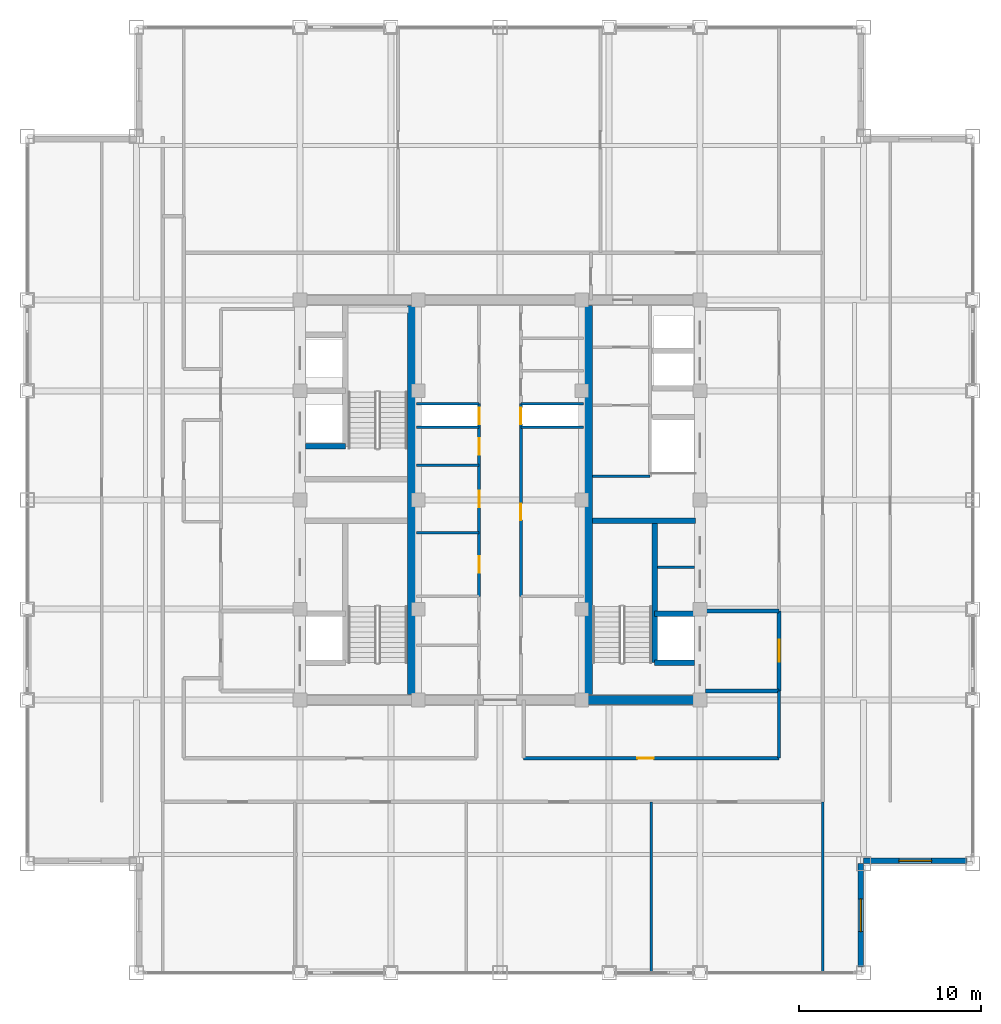
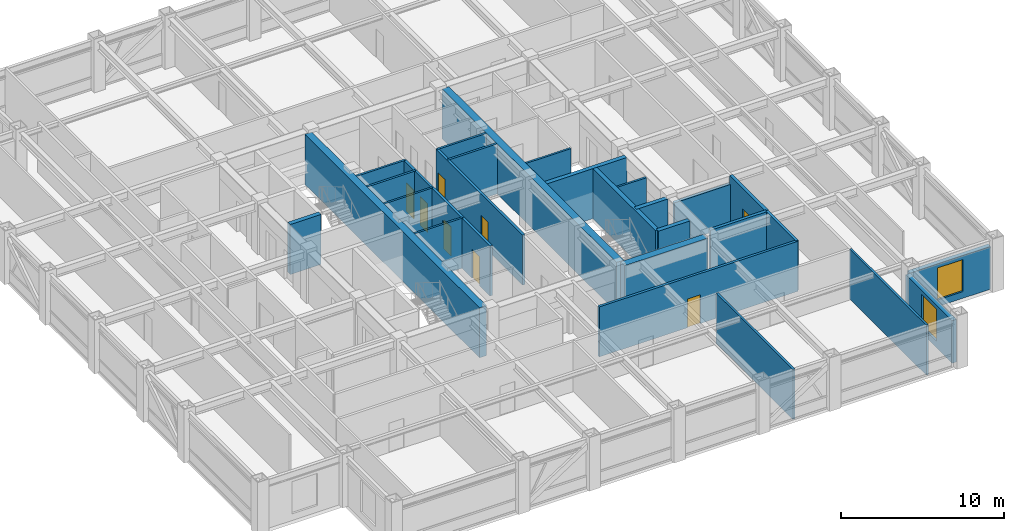
# One storey, part 25 of 28: 27 walls, 8 doors, 2 windows, 10 openings.
"""IFC4 building model written with IfcOpenShell, lengths in metres."""

from ifc_helpers import new_model, si_unit, direction, frame, frame_2d, origin, place, context, subcontext, project, spatial, rectangle, extrude, source, transform, mapped, material, layer, layer_set, type_object, element, fill, save


model = new_model("IFC4")

# Units and contexts
model_context = context("Model", 3, precision=1e-05, world=origin(), true_north=direction((0.0, 1.0)))
body_context = subcontext(model_context, "Body", "Model", "MODEL_VIEW")
ifc_project = project(units=[si_unit("LENGTHUNIT", "METRE"), si_unit("AREAUNIT", "SQUARE_METRE"), si_unit("VOLUMEUNIT", "CUBIC_METRE"), si_unit("PLANEANGLEUNIT", "RADIAN"), si_unit("MASSUNIT", "GRAM", prefix="KILO")], contexts=[model_context])

# Site, building, storey
site_placement = place(None, origin())
site = spatial("IfcSite", under=ifc_project, at=site_placement, CompositionType="ELEMENT")
building_placement = place(site_placement, origin())
building = spatial("IfcBuilding", under=site, at=building_placement, Name="Khorayat Bourse Tower", CompositionType="ELEMENT")
storey_placement = place(building_placement, frame((0.0, 0.0, 338.300048828125)))
storey = spatial("IfcBuildingStorey", under=building, at=storey_placement, Name="L80", CompositionType="ELEMENT", Elevation=338.300048828125)

# Walls
ifc_material_1 = material(Name="Concrete C52/65", Category="concrete")
ifc_layer_1 = layer(ifc_material_1, 0.5)
ifc_layer_set_1 = layer_set([ifc_layer_1], Name="Concrete C52/65")
wall_type_1 = type_object("IfcWallType", Name="WAL-CORE-500", PredefinedType="SHEAR", material=ifc_layer_set_1)
shared_shape_1 = source(origin(), body_context, "Body", "SweptSolid", [
    extrude(rectangle(XDim=21.39990234375, YDim=0.5, at=frame_2d((10.699951171875, 0.0))), origin(), (0.0, 0.0, 1.0), 3.739990234375),
])
for number, where, z_axis, x_axis, name in (
    (1, (-4.85009765625, -10.699951171875, 0.0), (0.0, 0.0, 1.0), (0.0, 1.0, 0.0), "L80 Core Shear Wall PIER-W"),
    (2, (4.85009765625, -10.699951171875, 0.0), (0.0, 0.0, 1.0), (0.0, 1.0, 0.0), "L80 Core Shear Wall PIER-E"),
):
    element("IfcWall", number, at=place(storey_placement, frame(where, z_axis=z_axis, x_axis=x_axis)), inside=storey, type_object=wall_type_1, Name=name, PredefinedType="SHEAR", context=body_context, shape_type="MappedRepresentation", body=[
        mapped(shared_shape_1, transform((0.0, 0.0, 0.0), scale=1.0)),
    ])
shared_shape_2 = source(origin(), body_context, "Body", "SweptSolid", [
    extrude(rectangle(XDim=5.89990234375, YDim=0.5, at=frame_2d((2.949951171875, 0.0))), origin(), (0.0, 0.0, 1.0), 3.739990234375),
])
wall_1_placement = place(storey_placement, frame((4.85009765625, -11.0, 0.0), z_axis=(0.0, 0.0, 1.0), x_axis=(1.0, 0.0, 0.0)))
element("IfcWall", 3, at=wall_1_placement, inside=storey, type_object=wall_type_1, Name="L80 Core Shear Wall PIER-ES", PredefinedType="SHEAR", context=body_context, shape_type="MappedRepresentation", body=[
    mapped(shared_shape_2, transform((0.0, 0.0, 0.0), scale=1.0)),
])
ifc_material_2 = material(Name="Concrete C50/60", Category="concrete")
ifc_layer_2 = layer(ifc_material_2, 0.300048828125)
ifc_layer_set_2 = layer_set([ifc_layer_2], Name="Concrete C50/60")
wall_type_2 = type_object("IfcWallType", Name="WAL-SHAFT-300", PredefinedType="SHEAR", material=ifc_layer_set_2)
shared_shape_3 = source(origin(), body_context, "Body", "SweptSolid", [
    extrude(rectangle(XDim=5.64990234375, YDim=0.300048828125, at=frame_2d((2.824951171875, 0.0))), origin(), (0.0, 0.0, 1.0), 3.739990234375),
])
wall_2_placement = place(storey_placement, frame((5.10009765625, -1.14990234375, 0.0), z_axis=(0.0, 0.0, 1.0), x_axis=(1.0, 0.0, 0.0)))
element("IfcWall", 4, at=wall_2_placement, inside=storey, type_object=wall_type_2, Name="L80 Core Shear Wall ST3-DIV", PredefinedType="SHEAR", context=body_context, shape_type="MappedRepresentation", body=[
    mapped(shared_shape_3, transform((0.0, 0.0, 0.0), scale=1.0)),
])

# Wall, opening, window
ifc_material_3 = material(Name="Precast concrete C45/55", Category="concrete")
ifc_layer_3 = layer(ifc_material_3, 0.320068359375)
ifc_layer_set_3 = layer_set([ifc_layer_3], Name="Precast concrete C45/55")
wall_type_3 = type_object("IfcWallType", Name="WAL-EXT-STONE-320", PredefinedType="STANDARD", material=ifc_layer_set_3)
shared_shape_4 = source(origin(), body_context, "Body", "SweptSolid", [
    extrude(rectangle(XDim=5.679931640625, YDim=0.320068359375, at=frame_2d((2.83984375, 0.0))), origin(), (0.0, 0.0, 1.0), 3.19091796875),
])
wall_3_placement = place(storey_placement, frame((19.840087890625, -25.679931640625, 0.0), z_axis=(0.0, 0.0, 1.0), x_axis=(0.0, 1.0, 0.0)))
wall_3 = element("IfcWall", 5, at=wall_3_placement, inside=storey, type_object=wall_type_3, Name="L80 Re-Entrant Notch Limestone Wall SE-V", PredefinedType="STANDARD", context=body_context, shape_type="MappedRepresentation", body=[
    mapped(shared_shape_4, transform((0.0, 0.0, 0.0), scale=1.0)),
])
shared_shape_5 = source(origin(), body_context, "Body", "SweptSolid", [
    extrude(rectangle(XDim=1.800048828125, YDim=2.39990234375, at=frame_2d((0.89990234375, 1.199951171875))), frame((0.0, 0.169921875, 0.0), z_axis=(0.0, -1.0, 0.0), x_axis=(1.0, 0.0, 0.0)), (0.0, 0.0, 1.0), 0.340087890625),
])
opening_1_placement = place(wall_3_placement, frame((1.93994140625, 0.0, 0.5)))
opening_1 = element("IfcOpeningElement", 6, at=opening_1_placement, cuts=wall_3, Name="Opening WN-04", PredefinedType="OPENING", context=body_context, shape_type="MappedRepresentation", body=[
    mapped(shared_shape_5, transform((0.0, 0.0, 0.0), scale=1.0)),
])
ifc_material_4 = material(Name="Low-E acoustic laminated double glazing", Category="glass")
window_type = type_object("IfcWindowType", Name="WIN-NOTCH-1800x2400", PartitioningType="SINGLE_PANEL", PredefinedType="WINDOW", material=ifc_material_4)
shared_shape_6 = source(origin(), body_context, "Body", "SweptSolid", [
    extrude(rectangle(XDim=1.800048828125, YDim=2.39990234375, at=frame_2d((0.89990234375, 1.199951171875))), frame((0.0, 0.030029296875, 0.0), z_axis=(0.0, -1.0, 0.0), x_axis=(1.0, 0.0, 0.0)), (0.0, 0.0, 1.0), 0.06005859375),
])
window_1_placement = place(opening_1_placement, origin())
window_1 = element("IfcWindow", 7, at=window_1_placement, inside=storey, type_object=window_type, Name="L80 Facade Window 1", OverallHeight=2.39990234375, OverallWidth=1.800048828125, PartitioningType="SINGLE_PANEL", PredefinedType="WINDOW", context=body_context, shape_type="MappedRepresentation", body=[
    mapped(shared_shape_6, transform((0.0, 0.0, 0.0), scale=1.0)),
])
fill(opening_1, window_1)

wall_4_placement = place(storey_placement, frame((20.0, -19.840087890625, 0.0), z_axis=(0.0, 0.0, 1.0), x_axis=(1.0, 0.0, 0.0)))
wall_4 = element("IfcWall", 8, at=wall_4_placement, inside=storey, type_object=wall_type_3, Name="L80 Re-Entrant Notch Limestone Wall SE-H", PredefinedType="STANDARD", context=body_context, shape_type="MappedRepresentation", body=[
    mapped(shared_shape_4, transform((0.0, 0.0, 0.0), scale=1.0)),
])
opening_2_placement = place(wall_4_placement, frame((1.93994140625, 0.0, 0.5)))
opening_2 = element("IfcOpeningElement", 9, at=opening_2_placement, cuts=wall_4, Name="Opening WN-04", PredefinedType="OPENING", context=body_context, shape_type="MappedRepresentation", body=[
    mapped(shared_shape_5, transform((0.0, 0.0, 0.0), scale=1.0)),
])
window_2_placement = place(opening_2_placement, origin())
window_2 = element("IfcWindow", 10, at=window_2_placement, inside=storey, type_object=window_type, Name="L80 Facade Window 1", OverallHeight=2.39990234375, OverallWidth=1.800048828125, PartitioningType="SINGLE_PANEL", PredefinedType="WINDOW", context=body_context, shape_type="MappedRepresentation", body=[
    mapped(shared_shape_6, transform((0.0, 0.0, 0.0), scale=1.0)),
])
fill(opening_2, window_2)

# Walls
shared_shape_7 = source(origin(), body_context, "Body", "SweptSolid", [
    extrude(rectangle(XDim=7.800048828125, YDim=0.300048828125, at=frame_2d((3.89990234375, 0.0))), origin(), (0.0, 0.0, 1.0), 3.739990234375),
])
wall_5_placement = place(storey_placement, frame((8.5, -8.949951171875, 0.0), z_axis=(0.0, 0.0, 1.0), x_axis=(0.0, 1.0, 0.0)))
element("IfcWall", 11, at=wall_5_placement, inside=storey, type_object=wall_type_2, Name="L80 Partition WAL-L80-EPIER-SP", PredefinedType="SHEAR", context=body_context, shape_type="MappedRepresentation", body=[
    mapped(shared_shape_7, transform((0.0, 0.0, 0.0), scale=1.0)),
])
shared_shape_8 = source(origin(), body_context, "Body", "SweptSolid", [
    extrude(rectangle(XDim=2.199951171875, YDim=0.300048828125, at=frame_2d((1.10009765625, 0.0))), origin(), (0.0, 0.0, 1.0), 3.739990234375),
])
for number, where, z_axis, x_axis, name in (
    (12, (-10.699951171875, 2.949951171875, 0.0), (0.0, 0.0, 1.0), (1.0, 0.0, 0.0), "L80 Partition WAL-L80-WPIER-H1S"),
    (13, (8.5, -8.949951171875, 0.0), (0.0, 0.0, 1.0), (1.0, 0.0, 0.0), "L80 Partition WAL-L80-EPIER-FF2S"),
    (14, (8.5, -6.25, 0.0), (0.0, 0.0, 1.0), (1.0, 0.0, 0.0), "L80 Partition WAL-L80-EPIER-FF2N"),
):
    element("IfcWall", number, at=place(storey_placement, frame(where, z_axis=z_axis, x_axis=x_axis)), inside=storey, type_object=wall_type_2, Name=name, PredefinedType="SHEAR", context=body_context, shape_type="MappedRepresentation", body=[
        mapped(shared_shape_8, transform((0.0, 0.0, 0.0), scale=1.0)),
    ])
ifc_material_5 = material(Name="Gypsum plasterboard twin-frame partition")
ifc_layer_4 = layer(ifc_material_5, 0.14990234375)
ifc_layer_set_4 = layer_set([ifc_layer_4], Name="Gypsum plasterboard twin-frame partition")
wall_type_4 = type_object("IfcWallType", Name="WAL-PART-SUITE-150", PredefinedType="PARTITIONING", material=ifc_layer_set_4)
shared_shape_9 = source(origin(), body_context, "Body", "SweptSolid", [
    extrude(rectangle(XDim=2.050048828125, YDim=0.14990234375, at=frame_2d((1.02490234375, 0.0))), origin(), (0.0, 0.0, 1.0), 3.739990234375),
])
wall_6_placement = place(storey_placement, frame((8.64990234375, -3.699951171875, 0.0), z_axis=(0.0, 0.0, 1.0), x_axis=(1.0, 0.0, 0.0)))
element("IfcWall", 15, at=wall_6_placement, inside=storey, type_object=wall_type_4, Name="L80 Partition WAL-L80-ESRV-D1", PredefinedType="PARTITIONING", context=body_context, shape_type="MappedRepresentation", body=[
    mapped(shared_shape_9, transform((0.0, 0.0, 0.0), scale=1.0)),
])
ifc_material_6 = material(Name="Moisture-resistant masonry partition", Category="masonry")
ifc_layer_5 = layer(ifc_material_6, 0.139892578125)
ifc_layer_set_5 = layer_set([ifc_layer_5], Name="Moisture-resistant masonry partition")
wall_type_5 = type_object("IfcWallType", Name="WAL-PART-WET-140", PredefinedType="PARTITIONING", material=ifc_layer_set_5)
shared_shape_10 = source(origin(), body_context, "Body", "SweptSolid", [
    extrude(rectangle(XDim=3.14990234375, YDim=0.139892578125, at=frame_2d((1.574951171875, 0.0))), origin(), (0.0, 0.0, 1.0), 3.739990234375),
])
wall_7_placement = place(storey_placement, frame((5.10009765625, 1.300048828125, 0.0), z_axis=(0.0, 0.0, 1.0), x_axis=(1.0, 0.0, 0.0)))
element("IfcWall", 16, at=wall_7_placement, inside=storey, type_object=wall_type_5, Name="L80 Partition WAL-L80-ECORE-S", PredefinedType="PARTITIONING", context=body_context, shape_type="MappedRepresentation", body=[
    mapped(shared_shape_10, transform((0.0, 0.0, 0.0), scale=1.0)),
])
ifc_material_7 = material(Name="Aerated concrete blockwork", Category="masonry")
ifc_layer_6 = layer(ifc_material_7, 0.219970703125)
ifc_layer_set_6 = layer_set([ifc_layer_6], Name="Aerated concrete blockwork")
wall_type_6 = type_object("IfcWallType", Name="WAL-PART-FF-220", PredefinedType="PARTITIONING", material=ifc_layer_set_6)
shared_shape_11 = source(origin(), body_context, "Body", "SweptSolid", [
    extrude(rectangle(XDim=4.050048828125, YDim=0.219970703125, at=frame_2d((2.02490234375, 0.0))), origin(), (0.0, 0.0, 1.0), 3.739990234375),
])
wall_8_placement = place(storey_placement, frame((11.300048828125, -10.5, 0.0), z_axis=(0.0, 0.0, 1.0), x_axis=(1.0, 0.0, 0.0)))
element("IfcWall", 17, at=wall_8_placement, inside=storey, type_object=wall_type_6, Name="L80 Partition WAL-L80-FFLE-S", PredefinedType="PARTITIONING", context=body_context, shape_type="MappedRepresentation", body=[
    mapped(shared_shape_11, transform((0.0, 0.0, 0.0), scale=1.0)),
])
shared_shape_12 = source(origin(), body_context, "Body", "SweptSolid", [
    extrude(rectangle(XDim=4.050048828125, YDim=0.219970703125, at=frame_2d((2.02490234375, 0.0))), origin(), (0.0, 0.0, 1.0), 3.1240234375),
])
wall_9_placement = place(storey_placement, frame((11.300048828125, -6.10009765625, 0.0), z_axis=(0.0, 0.0, 1.0), x_axis=(1.0, 0.0, 0.0)))
element("IfcWall", 18, at=wall_9_placement, inside=storey, type_object=wall_type_6, Name="L80 Partition WAL-L80-FFLE-N", PredefinedType="PARTITIONING", context=body_context, shape_type="MappedRepresentation", body=[
    mapped(shared_shape_12, transform((0.0, 0.0, 0.0), scale=1.0)),
])

# Wall, opening, door
shared_shape_13 = source(origin(), body_context, "Body", "SweptSolid", [
    extrude(rectangle(XDim=4.39990234375, YDim=0.219970703125, at=frame_2d((2.199951171875, 0.0))), origin(), (0.0, 0.0, 1.0), 3.739990234375),
])
wall_10_placement = place(storey_placement, frame((15.35009765625, -10.5, 0.0), z_axis=(0.0, 0.0, 1.0), x_axis=(0.0, 1.0, 0.0)))
wall_10 = element("IfcWall", 19, at=wall_10_placement, inside=storey, type_object=wall_type_6, Name="L80 Partition WAL-L80-FFLE-E", PredefinedType="PARTITIONING", context=body_context, shape_type="MappedRepresentation", body=[
    mapped(shared_shape_13, transform((0.0, 0.0, 0.0), scale=1.0)),
])
shared_shape_14 = source(origin(), body_context, "Body", "SweptSolid", [
    extrude(rectangle(XDim=1.199951171875, YDim=2.199951171875, at=frame_2d((0.60009765625, 1.10009765625))), frame((0.0, 0.119873046875, 0.0), z_axis=(0.0, -1.0, 0.0), x_axis=(1.0, 0.0, 0.0)), (0.0, 0.0, 1.0), 0.239990234375),
])
opening_3_placement = place(wall_10_placement, frame((1.60009765625, 0.0, 0.0)))
opening_3 = element("IfcOpeningElement", 20, at=opening_3_placement, cuts=wall_10, Name="Opening DI-02", PredefinedType="OPENING", context=body_context, shape_type="MappedRepresentation", body=[
    mapped(shared_shape_14, transform((0.0, 0.0, 0.0), scale=1.0)),
])
ifc_material_8 = material(Name="Fire-rated steel double-seal leaf", Category="steel")
door_type_1 = type_object("IfcDoorType", Name="DR-INT-FFLOBBY-1200", OperationType="NOTDEFINED", PredefinedType="DOOR", material=ifc_material_8)
shared_shape_15 = source(origin(), body_context, "Body", "SweptSolid", [
    extrude(rectangle(XDim=1.199951171875, YDim=2.199951171875, at=frame_2d((0.60009765625, 1.10009765625))), frame((0.0, 0.02490234375, 0.0), z_axis=(0.0, -1.0, 0.0), x_axis=(1.0, 0.0, 0.0)), (0.0, 0.0, 1.0), 0.050048828125),
])
door_1_placement = place(opening_3_placement, origin())
door_1 = element("IfcDoor", 21, at=door_1_placement, inside=storey, type_object=door_type_1, Name="L80 East Firefighting Lobby Door", OperationType="SINGLE_SWING_RIGHT", OverallHeight=2.199951171875, OverallWidth=1.199951171875, PredefinedType="DOOR", context=body_context, shape_type="MappedRepresentation", body=[
    mapped(shared_shape_15, transform((0.0, 0.0, 0.0), scale=1.0)),
])
fill(opening_3, door_1)

# Walls
shared_shape_16 = source(origin(), body_context, "Body", "SweptSolid", [
    extrude(rectangle(XDim=3.4501953125, YDim=0.14990234375, at=frame_2d((1.72509765625, 0.0))), origin(), (0.0, 0.0, 1.0), 3.739990234375),
])
for number, where, z_axis, x_axis, name in (
    (22, (-4.60009765625, 4.0, 0.0), (0.0, 0.0, 1.0), (1.0, 0.0, 0.0), "L80 Partition WAL-L80-CRSW-S"),
    (23, (1.14990234375, 4.0, 0.0), (0.0, 0.0, 1.0), (1.0, 0.0, 0.0), "L80 Partition WAL-L80-CRSE-S"),
    (24, (-4.60009765625, 5.300048828125, 0.0), (0.0, 0.0, 1.0), (1.0, 0.0, 0.0), "L80 Partition WAL-L80-FB2-SW"),
    (25, (1.14990234375, 5.300048828125, 0.0), (0.0, 0.0, 1.0), (1.0, 0.0, 0.0), "L80 Partition WAL-L80-FB2-SE"),
):
    element("IfcWall", number, at=place(storey_placement, frame(where, z_axis=z_axis, x_axis=x_axis)), inside=storey, type_object=wall_type_4, Name=name, PredefinedType="PARTITIONING", context=body_context, shape_type="MappedRepresentation", body=[
        mapped(shared_shape_16, transform((0.0, 0.0, 0.0), scale=1.0)),
    ])
shared_shape_17 = source(origin(), body_context, "Body", "SweptSolid", [
    extrude(rectangle(XDim=3.4501953125, YDim=0.139892578125, at=frame_2d((1.72509765625, 0.0))), origin(), (0.0, 0.0, 1.0), 3.739990234375),
])
for number, where, z_axis, x_axis, name in (
    (26, (-4.60009765625, -1.800048828125, 0.0), (0.0, 0.0, 1.0), (1.0, 0.0, 0.0), "L80 Partition WAL-L80-CMW-D1"),
    (27, (-4.60009765625, 1.89990234375, 0.0), (0.0, 0.0, 1.0), (1.0, 0.0, 0.0), "L80 Partition WAL-L80-CMW-D2"),
):
    element("IfcWall", number, at=place(storey_placement, frame(where, z_axis=z_axis, x_axis=x_axis)), inside=storey, type_object=wall_type_5, Name=name, PredefinedType="PARTITIONING", context=body_context, shape_type="MappedRepresentation", body=[
        mapped(shared_shape_17, transform((0.0, 0.0, 0.0), scale=1.0)),
    ])

# Wall, openings, doors
ifc_material_9 = material(Name="Gypsum plasterboard acoustic stud wall")
ifc_layer_7 = layer(ifc_material_9, 0.179931640625)
ifc_layer_set_7 = layer_set([ifc_layer_7], Name="Gypsum plasterboard acoustic stud wall")
wall_type_7 = type_object("IfcWallType", Name="WAL-PART-CORR-180", PredefinedType="PARTITIONING", material=ifc_layer_set_7)
shared_shape_18 = source(origin(), body_context, "Body", "SweptSolid", [
    extrude(rectangle(XDim=10.60009765625, YDim=0.179931640625, at=frame_2d((5.300048828125, 0.0))), origin(), (0.0, 0.0, 1.0), 3.739990234375),
])
wall_11_placement = place(storey_placement, frame((-1.14990234375, -5.300048828125, 0.0), z_axis=(0.0, 0.0, 1.0), x_axis=(0.0, 1.0, 0.0)))
wall_11 = element("IfcWall", 28, at=wall_11_placement, inside=storey, type_object=wall_type_7, Name="L80 Partition WAL-L80-CMW-L", PredefinedType="PARTITIONING", context=body_context, shape_type="MappedRepresentation", body=[
    mapped(shared_shape_18, transform((0.0, 0.0, 0.0), scale=1.0)),
])
shared_shape_19 = source(origin(), body_context, "Body", "SweptSolid", [
    extrude(rectangle(XDim=0.89990234375, YDim=2.14990234375, at=frame_2d((0.449951171875, 1.074951171875))), frame((0.0, 0.099853515625, 0.0), z_axis=(0.0, -1.0, 0.0), x_axis=(1.0, 0.0, 0.0)), (0.0, 0.0, 1.0), 0.199951171875),
])
opening_4_placement = place(wall_11_placement, frame((1.300048828125, 0.0, 0.0)))
opening_4 = element("IfcOpeningElement", 29, at=opening_4_placement, cuts=wall_11, Name="Opening DI-06", PredefinedType="OPENING", context=body_context, shape_type="MappedRepresentation", body=[
    mapped(shared_shape_19, transform((0.0, 0.0, 0.0), scale=1.0)),
])
opening_5_placement = place(wall_11_placement, frame((4.89990234375, 0.0, 0.0)))
opening_5 = element("IfcOpeningElement", 30, at=opening_5_placement, cuts=wall_11, Name="Opening DI-06", PredefinedType="OPENING", context=body_context, shape_type="MappedRepresentation", body=[
    mapped(shared_shape_19, transform((0.0, 0.0, 0.0), scale=1.0)),
])
opening_6_placement = place(wall_11_placement, frame((7.800048828125, 0.0, 0.0)))
opening_6 = element("IfcOpeningElement", 31, at=opening_6_placement, cuts=wall_11, Name="Opening DI-06", PredefinedType="OPENING", context=body_context, shape_type="MappedRepresentation", body=[
    mapped(shared_shape_19, transform((0.0, 0.0, 0.0), scale=1.0)),
])
opening_7_placement = place(wall_11_placement, frame((9.47509765625, 0.0, 0.0)))
opening_7 = element("IfcOpeningElement", 32, at=opening_7_placement, cuts=wall_11, Name="Opening DI-06", PredefinedType="OPENING", context=body_context, shape_type="MappedRepresentation", body=[
    mapped(shared_shape_19, transform((0.0, 0.0, 0.0), scale=1.0)),
])
ifc_material_10 = material(Name="Moisture-resistant laminate washroom door")
door_type_2 = type_object("IfcDoorType", Name="DR-INT-WC-900", OperationType="NOTDEFINED", PredefinedType="DOOR", material=ifc_material_10)
shared_shape_20 = source(origin(), body_context, "Body", "SweptSolid", [
    extrude(rectangle(XDim=0.89990234375, YDim=2.14990234375, at=frame_2d((0.449951171875, 1.074951171875))), frame((0.0, 0.02490234375, 0.0), z_axis=(0.0, -1.0, 0.0), x_axis=(1.0, 0.0, 0.0)), (0.0, 0.0, 1.0), 0.050048828125),
])
door_2_placement = place(opening_4_placement, origin())
door_2 = element("IfcDoor", 33, at=door_2_placement, inside=storey, type_object=door_type_2, Name="L80 Male Core Washroom Door", OperationType="SINGLE_SWING_RIGHT", OverallHeight=2.14990234375, OverallWidth=0.89990234375, PredefinedType="DOOR", context=body_context, shape_type="MappedRepresentation", body=[
    mapped(shared_shape_20, transform((0.0, 0.0, 0.0), scale=1.0)),
])
fill(opening_4, door_2)
door_3_placement = place(opening_5_placement, origin())
door_3 = element("IfcDoor", 34, at=door_3_placement, inside=storey, type_object=door_type_2, Name="L80 AHU Fan Plant Room Door", OperationType="SINGLE_SWING_LEFT", OverallHeight=2.14990234375, OverallWidth=0.89990234375, PredefinedType="DOOR", context=body_context, shape_type="MappedRepresentation", body=[
    mapped(shared_shape_20, transform((0.0, 0.0, 0.0), scale=1.0)),
])
fill(opening_5, door_3)
door_4_placement = place(opening_6_placement, origin())
door_4 = element("IfcDoor", 35, at=door_4_placement, inside=storey, type_object=door_type_2, Name="L80 Janitor Store Door", OperationType="SINGLE_SWING_RIGHT", OverallHeight=2.14990234375, OverallWidth=0.89990234375, PredefinedType="DOOR", context=body_context, shape_type="MappedRepresentation", body=[
    mapped(shared_shape_20, transform((0.0, 0.0, 0.0), scale=1.0)),
])
fill(opening_6, door_4)
door_5_placement = place(opening_7_placement, origin())
door_5 = element("IfcDoor", 36, at=door_5_placement, inside=storey, type_object=door_type_2, Name="L80 West Core Riser Door", OperationType="SINGLE_SWING_LEFT", OverallHeight=2.14990234375, OverallWidth=0.89990234375, PredefinedType="DOOR", context=body_context, shape_type="MappedRepresentation", body=[
    mapped(shared_shape_20, transform((0.0, 0.0, 0.0), scale=1.0)),
])
fill(opening_7, door_5)

wall_12_placement = place(storey_placement, frame((1.14990234375, -5.300048828125, 0.0), z_axis=(0.0, 0.0, 1.0), x_axis=(0.0, 1.0, 0.0)))
wall_12 = element("IfcWall", 37, at=wall_12_placement, inside=storey, type_object=wall_type_7, Name="L80 Partition WAL-L80-CME-L", PredefinedType="PARTITIONING", context=body_context, shape_type="MappedRepresentation", body=[
    mapped(shared_shape_18, transform((0.0, 0.0, 0.0), scale=1.0)),
])
opening_8_placement = place(wall_12_placement, frame((4.199951171875, 0.0, 0.0)))
opening_8 = element("IfcOpeningElement", 38, at=opening_8_placement, cuts=wall_12, Name="Opening DI-06", PredefinedType="OPENING", context=body_context, shape_type="MappedRepresentation", body=[
    mapped(shared_shape_19, transform((0.0, 0.0, 0.0), scale=1.0)),
])
opening_9_placement = place(wall_12_placement, frame((9.47509765625, 0.0, 0.0)))
opening_9 = element("IfcOpeningElement", 39, at=opening_9_placement, cuts=wall_12, Name="Opening DI-06", PredefinedType="OPENING", context=body_context, shape_type="MappedRepresentation", body=[
    mapped(shared_shape_19, transform((0.0, 0.0, 0.0), scale=1.0)),
])
door_6_placement = place(opening_8_placement, origin())
door_6 = element("IfcDoor", 40, at=door_6_placement, inside=storey, type_object=door_type_2, Name="L80 Female Core Washroom Door", OperationType="SINGLE_SWING_RIGHT", OverallHeight=2.14990234375, OverallWidth=0.89990234375, PredefinedType="DOOR", context=body_context, shape_type="MappedRepresentation", body=[
    mapped(shared_shape_20, transform((0.0, 0.0, 0.0), scale=1.0)),
])
fill(opening_8, door_6)
door_7_placement = place(opening_9_placement, origin())
door_7 = element("IfcDoor", 41, at=door_7_placement, inside=storey, type_object=door_type_2, Name="L80 East Core Riser Door", OperationType="SINGLE_SWING_RIGHT", OverallHeight=2.14990234375, OverallWidth=0.89990234375, PredefinedType="DOOR", context=body_context, shape_type="MappedRepresentation", body=[
    mapped(shared_shape_20, transform((0.0, 0.0, 0.0), scale=1.0)),
])
fill(opening_9, door_7)

# Wall, opening, door
shared_shape_21 = source(origin(), body_context, "Body", "SweptSolid", [
    extrude(rectangle(XDim=14.050048828125, YDim=0.179931640625, at=frame_2d((7.02490234375, 0.0))), origin(), (0.0, 0.0, 1.0), 3.739990234375),
])
wall_13_placement = place(storey_placement, frame((1.300048828125, -14.199951171875, 0.0), z_axis=(0.0, 0.0, 1.0), x_axis=(1.0, 0.0, 0.0)))
wall_13 = element("IfcWall", 42, at=wall_13_placement, inside=storey, type_object=wall_type_7, Name="L80 Partition WAL-L80-PKSE-S", PredefinedType="PARTITIONING", context=body_context, shape_type="MappedRepresentation", body=[
    mapped(shared_shape_21, transform((0.0, 0.0, 0.0), scale=1.0)),
])
opening_10_placement = place(wall_13_placement, frame((6.25, 0.0, 0.0)))
opening_10 = element("IfcOpeningElement", 43, at=opening_10_placement, cuts=wall_13, Name="Opening DI-06", PredefinedType="OPENING", context=body_context, shape_type="MappedRepresentation", body=[
    mapped(shared_shape_19, transform((0.0, 0.0, 0.0), scale=1.0)),
])
door_8_placement = place(opening_10_placement, origin())
door_8 = element("IfcDoor", 44, at=door_8_placement, inside=storey, type_object=door_type_2, Name="L80 SE Inboard Study Door", OperationType="SINGLE_SWING_RIGHT", OverallHeight=2.14990234375, OverallWidth=0.89990234375, PredefinedType="DOOR", context=body_context, shape_type="MappedRepresentation", body=[
    mapped(shared_shape_20, transform((0.0, 0.0, 0.0), scale=1.0)),
])
fill(opening_10, door_8)

# Walls
shared_shape_22 = source(origin(), body_context, "Body", "SweptSolid", [
    extrude(rectangle(XDim=3.699951171875, YDim=0.179931640625, at=frame_2d((1.85009765625, 0.0))), origin(), (0.0, 0.0, 1.0), 3.739990234375),
])
wall_14_placement = place(storey_placement, frame((15.35009765625, -14.199951171875, 0.0), z_axis=(0.0, 0.0, 1.0), x_axis=(0.0, 1.0, 0.0)))
element("IfcWall", 45, at=wall_14_placement, inside=storey, type_object=wall_type_7, Name="L80 Partition WAL-L80-PKSE-E", PredefinedType="PARTITIONING", context=body_context, shape_type="MappedRepresentation", body=[
    mapped(shared_shape_22, transform((0.0, 0.0, 0.0), scale=1.0)),
])
shared_shape_23 = source(origin(), body_context, "Body", "SweptSolid", [
    extrude(rectangle(XDim=9.39990234375, YDim=0.14990234375, at=frame_2d((4.699951171875, 0.0))), origin(), (0.0, 0.0, 1.0), 3.739990234375),
])
for number, where, z_axis, x_axis, name in (
    (46, (8.31201171875, -26.0, 0.0), (0.0, 0.0, 1.0), (0.0, 1.0, 0.0), "L80 Partition WAL-L80-SDV-3"),
    (47, (17.75, -26.0, 0.0), (0.0, 0.0, 1.0), (0.0, 1.0, 0.0), "L80 Partition WAL-L80-SCE-END"),
):
    element("IfcWall", number, at=place(storey_placement, frame(where, z_axis=z_axis, x_axis=x_axis)), inside=storey, type_object=wall_type_4, Name=name, PredefinedType="PARTITIONING", context=body_context, shape_type="MappedRepresentation", body=[
        mapped(shared_shape_23, transform((0.0, 0.0, 0.0), scale=1.0)),
    ])

save(model, "model.ifc")
